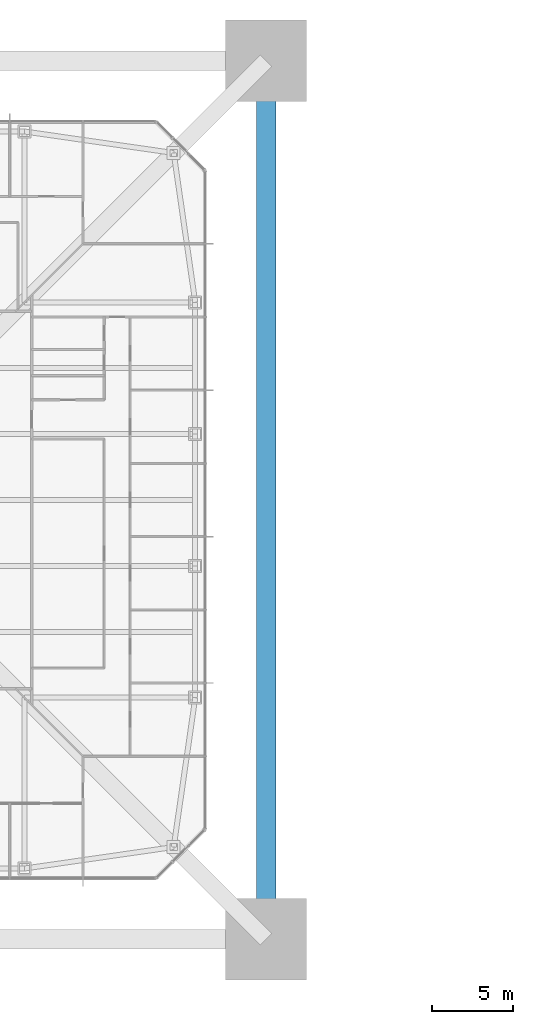
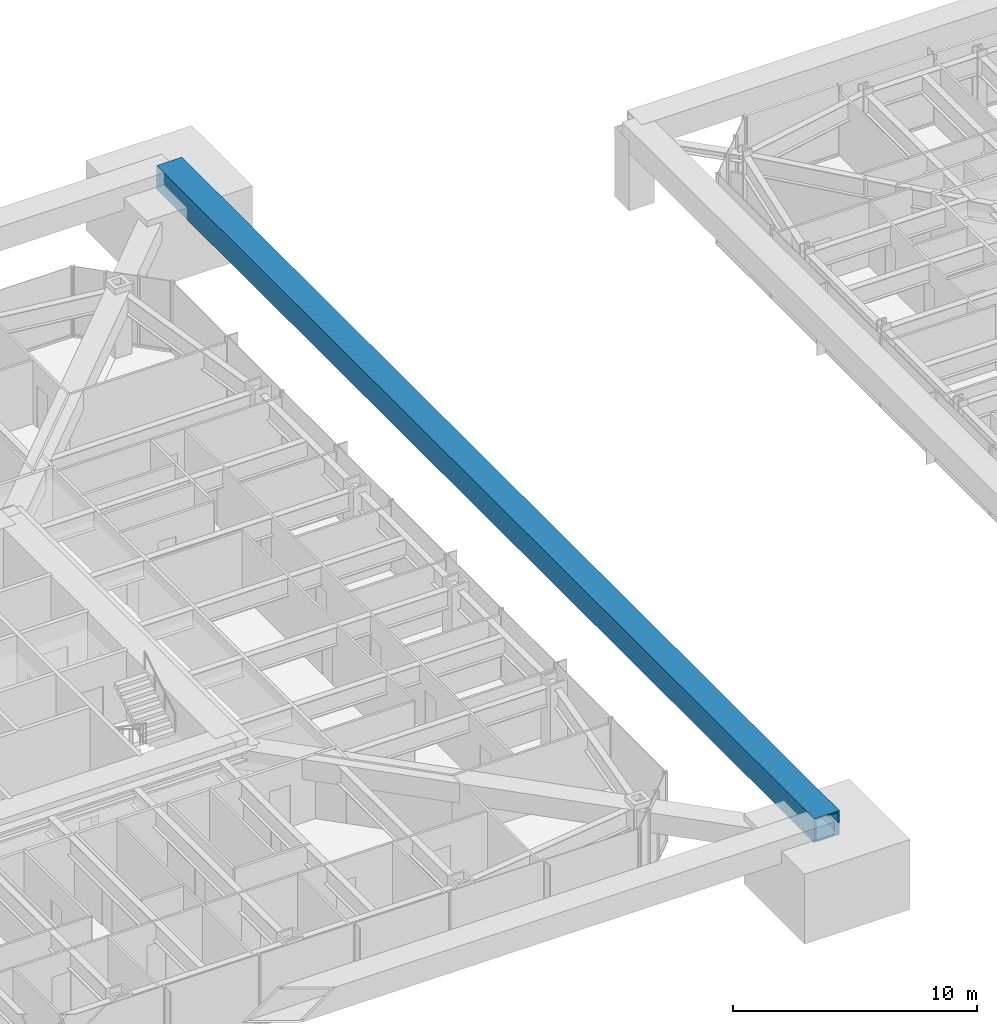
# One storey, part 8 of 32: 1 member.
"""IFC4 building model written with IfcOpenShell, lengths in metres."""

from ifc_helpers import new_model, si_unit, direction, frame, origin, origin_2d, place, context, subcontext, project, spatial, hollow_rectangle, extrude, material, material_profile, profile_set, type_object, element, save


model = new_model("IFC4")

# Units and contexts
model_context = context("Model", 3, precision=1e-05, world=origin(), true_north=direction((0.0, 1.0)))
body_context = subcontext(model_context, "Body", "Model", "MODEL_VIEW")
ifc_project = project(units=[si_unit("LENGTHUNIT", "METRE"), si_unit("AREAUNIT", "SQUARE_METRE"), si_unit("VOLUMEUNIT", "CUBIC_METRE"), si_unit("PLANEANGLEUNIT", "RADIAN"), si_unit("MASSUNIT", "GRAM", prefix="KILO")], contexts=[model_context])

# Site, building, storey
site_placement = place(None, origin())
site = spatial("IfcSite", under=ifc_project, at=site_placement, CompositionType="ELEMENT")
building_placement = place(site_placement, origin())
building = spatial("IfcBuilding", under=site, at=building_placement, Name="Iwan Alto Co-Living Towers", CompositionType="ELEMENT")
storey_placement = place(building_placement, frame((0.0, 0.0, 71.0)))
storey = spatial("IfcBuildingStorey", under=building, at=storey_placement, Name="L19", CompositionType="ELEMENT", Elevation=71.0)

# Member
ifc_material = material(Name="Steel ASTM A572 Gr 50", Category="steel")
ifc_material_profile = material_profile(ifc_material, hollow_rectangle(XDim=1.199951171875, YDim=1.199951171875, WallThickness=0.070068359375, at=origin_2d()), Name="BOX 1200X1200X70")
ifc_profile_set = profile_set([ifc_material_profile], Name="Steel ASTM A572 Gr 50")
member_type = type_object("IfcMemberType", Name="T1 MEGA BELT TIE BOX 1200X1200X70", PredefinedType="STRUT", material=ifc_profile_set)
member_placement = place(storey_placement, frame((27.0, -27.0, 3.5), z_axis=(0.0, 1.0, 0.0), x_axis=(-1.0, 0.0, 0.0)))
element("IfcMember", 1, at=member_placement, inside=storey, type_object=member_type, Name="T1 mega belt tie E L20", PredefinedType="STRUT", context=body_context, shape_type="SweptSolid", body=[
    extrude(hollow_rectangle(XDim=1.199951171875, YDim=1.199951171875, WallThickness=0.070068359375, at=origin_2d()), origin(), (0.0, 0.0, 1.0), 54.0),
])

save(model, "model.ifc")
